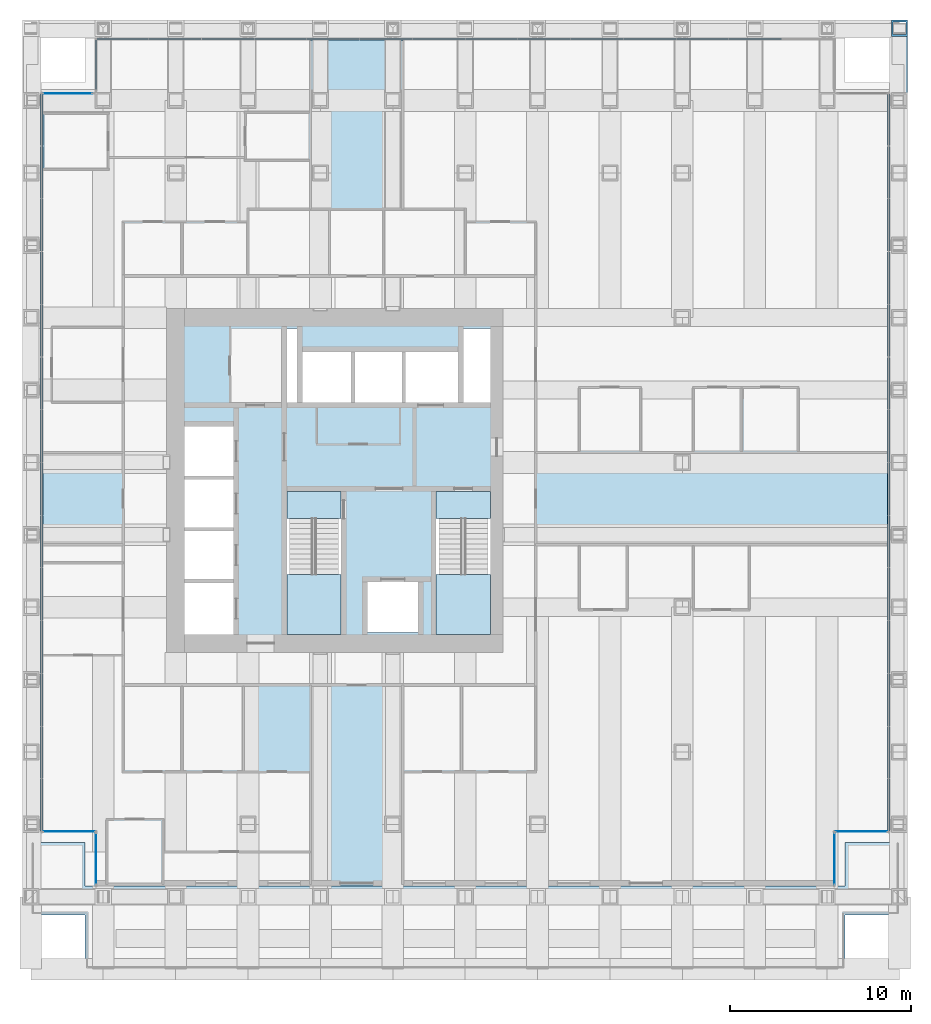
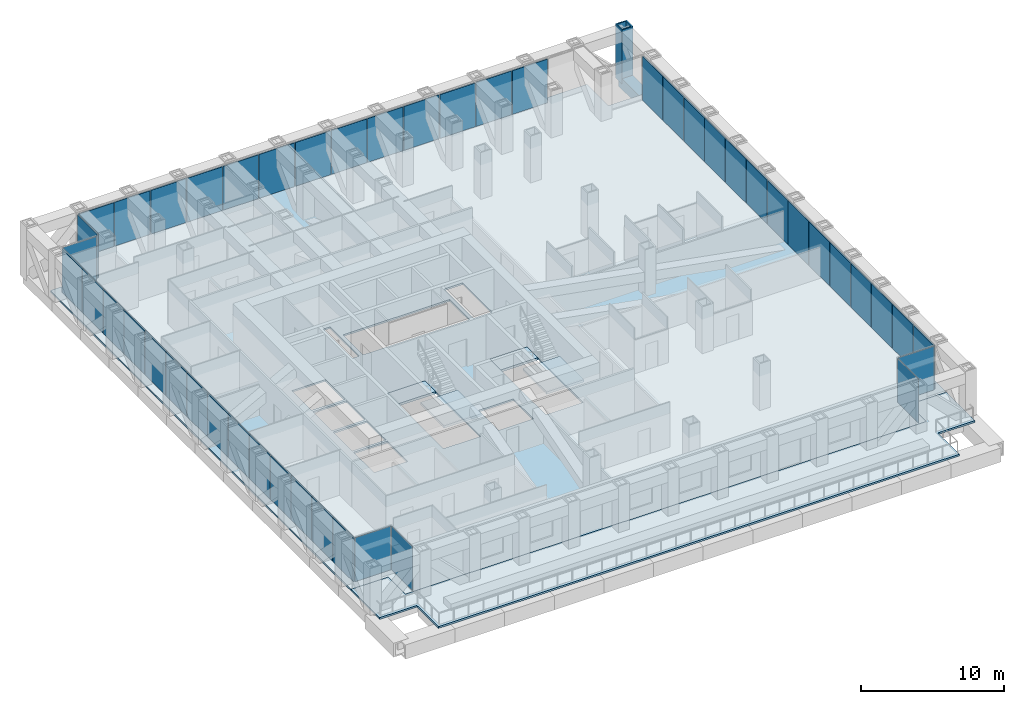
# One storey, part 11 of 18: 47 plates, 6 slabs, 1 beam, 1 member, 11 elements without a shape of their own.
"""IFC4 building model written with IfcOpenShell, lengths in metres."""

from ifc_helpers import new_model, si_unit, direction, frame, origin, origin_2d, place, context, subcontext, project, spatial, polyline, rectangle, hollow_rectangle, outline, extrude, material, layer, layer_set, material_profile, profile_set, type_object, element, aggregate, save


model = new_model("IFC4")

# Units and contexts
model_context = context("Model", 3, precision=1e-05, world=origin(), true_north=direction((0.0, 1.0)))
body_context = subcontext(model_context, "Body", "Model", "MODEL_VIEW")
ifc_project = project(units=[si_unit("LENGTHUNIT", "METRE"), si_unit("AREAUNIT", "SQUARE_METRE"), si_unit("VOLUMEUNIT", "CUBIC_METRE"), si_unit("PLANEANGLEUNIT", "RADIAN"), si_unit("MASSUNIT", "GRAM", prefix="KILO")], contexts=[model_context])

# Site, building, storey
site_placement = place(None, origin())
site = spatial("IfcSite", under=ifc_project, at=site_placement, CompositionType="ELEMENT")
building_placement = place(site_placement, origin())
building = spatial("IfcBuilding", under=site, at=building_placement, Name="Rimbunsela Tower", CompositionType="ELEMENT")
storey_placement = place(building_placement, frame((0.0, 0.0, 105.39990234375)))
storey = spatial("IfcBuildingStorey", under=building, at=storey_placement, Name="L25", CompositionType="ELEMENT", Elevation=105.39990234375)

# Beam
ifc_material_1 = material(Name="Steel BJ 55 (fy 410 MPa)", Category="steel")
ifc_material_profile_1 = material_profile(ifc_material_1, hollow_rectangle(XDim=0.89990234375, YDim=0.89990234375, WallThickness=0.10009765625, at=origin_2d()), Name="BOX 900x900x100")
ifc_profile_set_1 = profile_set([ifc_material_profile_1], Name="Steel BJ 55 (fy 410 MPa)")
beam_type = type_object("IfcBeamType", Name="Truss chord BOX 900x900x100", PredefinedType="USERDEFINED", material=ifc_profile_set_1)
beam_placement = place(storey_placement, frame((58.0, 48.0, -0.599853515625), z_axis=(0.0, 1.0, 0.0), x_axis=(-1.0, 0.0, 0.0)))
element("IfcBeam", 1, at=beam_placement, inside=storey, type_object=beam_type, Name="Truss bottom chord TC2 E face L25", ObjectType="TRUSS CHORD", PredefinedType="USERDEFINED", context=body_context, shape_type="SweptSolid", body=[
    extrude(hollow_rectangle(XDim=0.89990234375, YDim=0.89990234375, WallThickness=0.10009765625, at=origin_2d()), origin(), (0.0, 0.0, 1.0), 4.0),
])

# Member
ifc_material_2 = material(Name="Steel BJ 55 (fy 410 MPa)", Category="steel")
ifc_material_profile_2 = material_profile(ifc_material_2, hollow_rectangle(XDim=0.89990234375, YDim=0.89990234375, WallThickness=0.10009765625, at=origin_2d()), Name="BOX 900x900x100")
ifc_profile_set_2 = profile_set([ifc_material_profile_2], Name="Steel BJ 55 (fy 410 MPa)")
member_type = type_object("IfcMemberType", Name="Truss post BOX 900x900x100", PredefinedType="POST", material=ifc_profile_set_2)
member_placement = place(storey_placement, frame((58.0, 52.0, -0.599853515625), z_axis=(0.0, 0.0, 1.0), x_axis=(1.0, 0.0, 0.0)))
element("IfcMember", 2, at=member_placement, inside=storey, type_object=member_type, Name="Truss post TP2 17/Q L25", PredefinedType="POST", context=body_context, shape_type="SweptSolid", body=[
    extrude(hollow_rectangle(XDim=0.89990234375, YDim=0.89990234375, WallThickness=0.10009765625, at=origin_2d()), origin(), (0.0, 0.0, 1.0), 4.599853515625),
])

# Slab
ifc_material_3 = material(Name="Concrete fc' 35 MPa", Category="concrete")
ifc_layer_1 = layer(ifc_material_3, 0.14990234375)
ifc_layer_set_1 = layer_set([ifc_layer_1], Name="Floor slab 150")
slab_type_1 = type_object("IfcSlabType", Name="Floor slab 150", PredefinedType="FLOOR", material=ifc_layer_set_1)
slab_1_placement = place(storey_placement, frame((0.0, 0.0, -0.14990234375)))
element("IfcSlab", 3, at=slab_1_placement, inside=storey, type_object=slab_type_1, Name="Floor slab L25", PredefinedType="FLOOR", context=body_context, shape_type="SweptSolid", body=[
    extrude(outline(polyline([(13.0, 7.0), (13.0, 4.60009765625), (55.0, 4.60009765625), (55.0, 7.0), (58.0, 7.0), (58.0, 49.0), (55.0, 49.0), (55.0, 52.0), (13.0, 52.0), (13.0, 49.0), (10.0, 49.0), (10.0, 7.0), (13.0, 7.0)]), holes=[polyline([(21.199951171875, 21.35009765625), (18.5, 21.35009765625), (18.5, 18.5), (21.199951171875, 18.5), (21.199951171875, 21.35009765625)]), polyline([(21.199951171875, 21.550048828125), (21.199951171875, 24.199951171875), (18.5, 24.199951171875), (18.5, 21.550048828125), (21.199951171875, 21.550048828125)]), polyline([(21.199951171875, 27.050048828125), (18.5, 27.050048828125), (18.5, 24.39990234375), (21.199951171875, 24.39990234375), (21.199951171875, 27.050048828125)]), polyline([(21.199951171875, 27.25), (21.199951171875, 30.0), (18.5, 30.0), (18.5, 27.25), (21.199951171875, 27.25)]), polyline([(27.14990234375, 18.60009765625), (27.14990234375, 26.39990234375), (24.14990234375, 26.39990234375), (24.14990234375, 18.60009765625), (27.14990234375, 18.60009765625)]), polyline([(24.699951171875, 31.300048828125), (24.699951171875, 35.39990234375), (24.14990234375, 35.39990234375), (24.14990234375, 31.300048828125), (24.699951171875, 31.300048828125)]), polyline([(25.0, 34.10009765625), (25.0, 31.300048828125), (33.60009765625, 31.300048828125), (33.60009765625, 34.10009765625), (25.0, 34.10009765625)]), polyline([(31.39990234375, 21.39990234375), (28.60009765625, 21.39990234375), (28.60009765625, 18.60009765625), (31.39990234375, 18.60009765625), (31.39990234375, 21.39990234375)]), polyline([(35.39990234375, 18.60009765625), (35.39990234375, 26.39990234375), (32.39990234375, 26.39990234375), (32.39990234375, 18.60009765625), (35.39990234375, 18.60009765625)]), polyline([(35.39990234375, 31.300048828125), (35.39990234375, 35.39990234375), (33.89990234375, 35.39990234375), (33.89990234375, 31.300048828125), (35.39990234375, 31.300048828125)])]), origin(), (0.0, 0.0, 1.0), 0.14990234375),
])

# Curtain wall, plate
ifc_material_4 = material(Name="Aluminium curtain wall", Category="aluminium")
curtain_wall_type_1 = type_object("IfcCurtainWallType", Name="Corner glazing", PredefinedType="USERDEFINED", material=ifc_material_4)
curtain_wall_1_placement = place(storey_placement, origin())
curtain_wall_1 = element("IfcCurtainWall", 4, at=curtain_wall_1_placement, inside=storey, type_object=curtain_wall_type_1, Name="Corner glazing L25", ObjectType="CORNER GLAZING", PredefinedType="USERDEFINED")
ifc_material_5 = material(Name="Clear double glazing", Category="glass")
ifc_layer_2 = layer(ifc_material_5, 0.028076171875)
ifc_layer_set_2 = layer_set([ifc_layer_2], Name="Glazed panel clear")
plate_type_1 = type_object("IfcPlateType", Name="Glazed panel clear", PredefinedType="CURTAIN_PANEL", material=ifc_layer_set_2)
plate_1_placement = place(storey_placement, frame((54.39990234375, 6.10009765625, 0.06005859375), z_axis=(0.0, 0.0, 1.0), x_axis=(0.0, 1.0, 0.0)))
plate_1 = element("IfcPlate", 5, at=plate_1_placement, type_object=plate_type_1, Name="CW5 panel 1.1", PredefinedType="CURTAIN_PANEL", context=body_context, shape_type="SweptSolid", body=[
    extrude(rectangle(XDim=2.8798828125, YDim=0.028076171875, at=origin_2d()), origin(), (0.0, 0.0, 1.0), 3.72998046875),
])
aggregate(curtain_wall_1, [plate_1])

curtain_wall_2_placement = place(storey_placement, origin())
curtain_wall_2 = element("IfcCurtainWall", 6, at=curtain_wall_2_placement, inside=storey, type_object=curtain_wall_type_1, Name="Corner glazing L25", ObjectType="CORNER GLAZING", PredefinedType="USERDEFINED")
plate_2_placement = place(storey_placement, frame((55.89990234375, 7.60009765625, 0.06005859375), z_axis=(0.0, 0.0, 1.0), x_axis=(1.0, 0.0, 0.0)))
plate_2 = element("IfcPlate", 7, at=plate_2_placement, type_object=plate_type_1, Name="CW5 panel 1.1", PredefinedType="CURTAIN_PANEL", context=body_context, shape_type="SweptSolid", body=[
    extrude(rectangle(XDim=2.8798828125, YDim=0.028076171875, at=origin_2d()), origin(), (0.0, 0.0, 1.0), 3.72998046875),
])
aggregate(curtain_wall_2, [plate_2])

curtain_wall_3_placement = place(storey_placement, origin())
curtain_wall_3 = element("IfcCurtainWall", 8, at=curtain_wall_3_placement, inside=storey, type_object=curtain_wall_type_1, Name="Corner glazing L25", ObjectType="CORNER GLAZING", PredefinedType="USERDEFINED")
plate_3_placement = place(storey_placement, frame((12.02490234375, 48.39990234375, 0.06005859375), z_axis=(0.0, 0.0, 1.0), x_axis=(-1.0, 0.0, 0.0)))
plate_3 = element("IfcPlate", 9, at=plate_3_placement, type_object=plate_type_1, Name="CW5 panel 1.1", PredefinedType="CURTAIN_PANEL", context=body_context, shape_type="SweptSolid", body=[
    extrude(rectangle(XDim=2.72998046875, YDim=0.028076171875, at=origin_2d()), origin(), (0.0, 0.0, 1.0), 3.72998046875),
])
aggregate(curtain_wall_3, [plate_3])

curtain_wall_4_placement = place(storey_placement, origin())
curtain_wall_4 = element("IfcCurtainWall", 10, at=curtain_wall_4_placement, inside=storey, type_object=curtain_wall_type_1, Name="Corner glazing L25", ObjectType="CORNER GLAZING", PredefinedType="USERDEFINED")
plate_4_placement = place(storey_placement, frame((12.10009765625, 7.60009765625, 0.06005859375), z_axis=(0.0, 0.0, 1.0), x_axis=(1.0, 0.0, 0.0)))
plate_4 = element("IfcPlate", 11, at=plate_4_placement, type_object=plate_type_1, Name="CW5 panel 1.1", PredefinedType="CURTAIN_PANEL", context=body_context, shape_type="SweptSolid", body=[
    extrude(rectangle(XDim=2.8798828125, YDim=0.028076171875, at=origin_2d()), origin(), (0.0, 0.0, 1.0), 3.72998046875),
])
aggregate(curtain_wall_4, [plate_4])

curtain_wall_5_placement = place(storey_placement, origin())
curtain_wall_5 = element("IfcCurtainWall", 12, at=curtain_wall_5_placement, inside=storey, type_object=curtain_wall_type_1, Name="Corner glazing L25", ObjectType="CORNER GLAZING", PredefinedType="USERDEFINED")
plate_5_placement = place(storey_placement, frame((13.60009765625, 6.10009765625, 0.06005859375), z_axis=(0.0, 0.0, 1.0), x_axis=(0.0, -1.0, 0.0)))
plate_5 = element("IfcPlate", 13, at=plate_5_placement, type_object=plate_type_1, Name="CW5 panel 1.1", PredefinedType="CURTAIN_PANEL", context=body_context, shape_type="SweptSolid", body=[
    extrude(rectangle(XDim=2.8798828125, YDim=0.028076171875, at=origin_2d()), origin(), (0.0, 0.0, 1.0), 3.72998046875),
])
aggregate(curtain_wall_5, [plate_5])

# Curtain wall, plates
ifc_material_6 = material(Name="Aluminium curtain wall", Category="aluminium")
curtain_wall_type_2 = type_object("IfcCurtainWallType", Name="Exoskeleton storey infill", PredefinedType="USERDEFINED", material=ifc_material_6)
curtain_wall_6_placement = place(storey_placement, origin())
curtain_wall_6 = element("IfcCurtainWall", 14, at=curtain_wall_6_placement, inside=storey, type_object=curtain_wall_type_2, Name="Exoskeleton storey infill L25", ObjectType="EXOSKELETON STOREY INFILL", PredefinedType="USERDEFINED")
ifc_material_7 = material(Name="Insulated aluminium spandrel panel", Category="aluminium")
ifc_layer_3 = layer(ifc_material_7, 0.10009765625)
ifc_layer_set_3 = layer_set([ifc_layer_3], Name="Insulated panel 100")
plate_type_2 = type_object("IfcPlateType", Name="Insulated panel 100", PredefinedType="CURTAIN_PANEL", material=ifc_layer_set_3)
plate_6_placement = place(storey_placement, frame((57.39990234375, 9.072021484375, 0.06005859375), z_axis=(0.0, 0.0, 1.0), x_axis=(0.0, 1.0, 0.0)))
plate_6 = element("IfcPlate", 15, at=plate_6_placement, type_object=plate_type_2, Name="CW2 panel 1.1", PredefinedType="CURTAIN_PANEL", context=body_context, shape_type="SweptSolid", body=[
    extrude(rectangle(XDim=2.82421875, YDim=0.10009765625, at=origin_2d()), origin(), (0.0, 0.0, 1.0), 3.72998046875),
])
plate_7_placement = place(storey_placement, frame((57.39990234375, 11.971435546875, 0.06005859375), z_axis=(0.0, 0.0, 1.0), x_axis=(0.0, 1.0, 0.0)))
plate_7 = element("IfcPlate", 16, at=plate_7_placement, type_object=plate_type_2, Name="CW2 panel 2.1", PredefinedType="CURTAIN_PANEL", context=body_context, shape_type="SweptSolid", body=[
    extrude(rectangle(XDim=2.854248046875, YDim=0.10009765625, at=origin_2d()), origin(), (0.0, 0.0, 1.0), 3.72998046875),
])
plate_8_placement = place(storey_placement, frame((57.39990234375, 14.8857421875, 0.06005859375), z_axis=(0.0, 0.0, 1.0), x_axis=(0.0, 1.0, 0.0)))
plate_8 = element("IfcPlate", 17, at=plate_8_placement, type_object=plate_type_2, Name="CW2 panel 3.1", PredefinedType="CURTAIN_PANEL", context=body_context, shape_type="SweptSolid", body=[
    extrude(rectangle(XDim=2.854248046875, YDim=0.10009765625, at=origin_2d()), origin(), (0.0, 0.0, 1.0), 3.72998046875),
])
plate_9_placement = place(storey_placement, frame((57.39990234375, 17.800048828125, 0.06005859375), z_axis=(0.0, 0.0, 1.0), x_axis=(0.0, 1.0, 0.0)))
plate_9 = element("IfcPlate", 18, at=plate_9_placement, type_object=plate_type_2, Name="CW2 panel 4.1", PredefinedType="CURTAIN_PANEL", context=body_context, shape_type="SweptSolid", body=[
    extrude(rectangle(XDim=2.854248046875, YDim=0.10009765625, at=origin_2d()), origin(), (0.0, 0.0, 1.0), 3.72998046875),
])
plate_10_placement = place(storey_placement, frame((57.39990234375, 20.71435546875, 0.06005859375), z_axis=(0.0, 0.0, 1.0), x_axis=(0.0, 1.0, 0.0)))
plate_10 = element("IfcPlate", 19, at=plate_10_placement, type_object=plate_type_2, Name="CW2 panel 5.1", PredefinedType="CURTAIN_PANEL", context=body_context, shape_type="SweptSolid", body=[
    extrude(rectangle(XDim=2.854248046875, YDim=0.10009765625, at=origin_2d()), origin(), (0.0, 0.0, 1.0), 3.72998046875),
])
plate_11_placement = place(storey_placement, frame((57.39990234375, 23.628662109375, 0.06005859375), z_axis=(0.0, 0.0, 1.0), x_axis=(0.0, 1.0, 0.0)))
plate_11 = element("IfcPlate", 20, at=plate_11_placement, type_object=plate_type_2, Name="CW2 panel 6.1", PredefinedType="CURTAIN_PANEL", context=body_context, shape_type="SweptSolid", body=[
    extrude(rectangle(XDim=2.854248046875, YDim=0.10009765625, at=origin_2d()), origin(), (0.0, 0.0, 1.0), 3.72998046875),
])
plate_12_placement = place(storey_placement, frame((57.39990234375, 26.54296875, 0.06005859375), z_axis=(0.0, 0.0, 1.0), x_axis=(0.0, 1.0, 0.0)))
plate_12 = element("IfcPlate", 21, at=plate_12_placement, type_object=plate_type_2, Name="CW2 panel 7.1", PredefinedType="CURTAIN_PANEL", context=body_context, shape_type="SweptSolid", body=[
    extrude(rectangle(XDim=2.854248046875, YDim=0.10009765625, at=origin_2d()), origin(), (0.0, 0.0, 1.0), 3.72998046875),
])
plate_13_placement = place(storey_placement, frame((57.39990234375, 29.45703125, 0.06005859375), z_axis=(0.0, 0.0, 1.0), x_axis=(0.0, 1.0, 0.0)))
plate_13 = element("IfcPlate", 22, at=plate_13_placement, type_object=plate_type_2, Name="CW2 panel 8.1", PredefinedType="CURTAIN_PANEL", context=body_context, shape_type="SweptSolid", body=[
    extrude(rectangle(XDim=2.854248046875, YDim=0.10009765625, at=origin_2d()), origin(), (0.0, 0.0, 1.0), 3.72998046875),
])
plate_14_placement = place(storey_placement, frame((57.39990234375, 32.371337890625, 0.06005859375), z_axis=(0.0, 0.0, 1.0), x_axis=(0.0, 1.0, 0.0)))
plate_14 = element("IfcPlate", 23, at=plate_14_placement, type_object=plate_type_2, Name="CW2 panel 9.1", PredefinedType="CURTAIN_PANEL", context=body_context, shape_type="SweptSolid", body=[
    extrude(rectangle(XDim=2.854248046875, YDim=0.10009765625, at=origin_2d()), origin(), (0.0, 0.0, 1.0), 3.72998046875),
])
plate_15_placement = place(storey_placement, frame((57.39990234375, 35.28564453125, 0.06005859375), z_axis=(0.0, 0.0, 1.0), x_axis=(0.0, 1.0, 0.0)))
plate_15 = element("IfcPlate", 24, at=plate_15_placement, type_object=plate_type_2, Name="CW2 panel 10.1", PredefinedType="CURTAIN_PANEL", context=body_context, shape_type="SweptSolid", body=[
    extrude(rectangle(XDim=2.854248046875, YDim=0.10009765625, at=origin_2d()), origin(), (0.0, 0.0, 1.0), 3.72998046875),
])
plate_16_placement = place(storey_placement, frame((57.39990234375, 38.199951171875, 0.06005859375), z_axis=(0.0, 0.0, 1.0), x_axis=(0.0, 1.0, 0.0)))
plate_16 = element("IfcPlate", 25, at=plate_16_placement, type_object=plate_type_2, Name="CW2 panel 11.1", PredefinedType="CURTAIN_PANEL", context=body_context, shape_type="SweptSolid", body=[
    extrude(rectangle(XDim=2.854248046875, YDim=0.10009765625, at=origin_2d()), origin(), (0.0, 0.0, 1.0), 3.72998046875),
])
plate_17_placement = place(storey_placement, frame((57.39990234375, 41.1142578125, 0.06005859375), z_axis=(0.0, 0.0, 1.0), x_axis=(0.0, 1.0, 0.0)))
plate_17 = element("IfcPlate", 26, at=plate_17_placement, type_object=plate_type_2, Name="CW2 panel 12.1", PredefinedType="CURTAIN_PANEL", context=body_context, shape_type="SweptSolid", body=[
    extrude(rectangle(XDim=2.854248046875, YDim=0.10009765625, at=origin_2d()), origin(), (0.0, 0.0, 1.0), 3.72998046875),
])
plate_18_placement = place(storey_placement, frame((57.39990234375, 44.028564453125, 0.06005859375), z_axis=(0.0, 0.0, 1.0), x_axis=(0.0, 1.0, 0.0)))
plate_18 = element("IfcPlate", 27, at=plate_18_placement, type_object=plate_type_2, Name="CW2 panel 13.1", PredefinedType="CURTAIN_PANEL", context=body_context, shape_type="SweptSolid", body=[
    extrude(rectangle(XDim=2.854248046875, YDim=0.10009765625, at=origin_2d()), origin(), (0.0, 0.0, 1.0), 3.72998046875),
])
plate_19_placement = place(storey_placement, frame((57.39990234375, 46.927978515625, 0.06005859375), z_axis=(0.0, 0.0, 1.0), x_axis=(0.0, 1.0, 0.0)))
plate_19 = element("IfcPlate", 28, at=plate_19_placement, type_object=plate_type_2, Name="CW2 panel 14.1", PredefinedType="CURTAIN_PANEL", context=body_context, shape_type="SweptSolid", body=[
    extrude(rectangle(XDim=2.82421875, YDim=0.10009765625, at=origin_2d()), origin(), (0.0, 0.0, 1.0), 3.72998046875),
])
aggregate(curtain_wall_6, [plate_6, plate_7, plate_8, plate_9, plate_10, plate_11, plate_12, plate_13, plate_14, plate_15, plate_16, plate_17, plate_18, plate_19])

curtain_wall_7_placement = place(storey_placement, origin())
curtain_wall_7 = element("IfcCurtainWall", 29, at=curtain_wall_7_placement, inside=storey, type_object=curtain_wall_type_2, Name="Exoskeleton storey infill L25", ObjectType="EXOSKELETON STOREY INFILL", PredefinedType="USERDEFINED")
plate_20_placement = place(storey_placement, frame((50.028564453125, 51.39990234375, 0.06005859375), z_axis=(0.0, 0.0, 1.0), x_axis=(-1.0, 0.0, 0.0)))
plate_20 = element("IfcPlate", 30, at=plate_20_placement, type_object=plate_type_2, Name="CW2 panel 2.1", PredefinedType="CURTAIN_PANEL", context=body_context, shape_type="SweptSolid", body=[
    extrude(rectangle(XDim=2.854248046875, YDim=0.10009765625, at=origin_2d()), origin(), (0.0, 0.0, 1.0), 3.72998046875),
])
plate_21_placement = place(storey_placement, frame((47.1142578125, 51.39990234375, 0.06005859375), z_axis=(0.0, 0.0, 1.0), x_axis=(-1.0, 0.0, 0.0)))
plate_21 = element("IfcPlate", 31, at=plate_21_placement, type_object=plate_type_2, Name="CW2 panel 3.1", PredefinedType="CURTAIN_PANEL", context=body_context, shape_type="SweptSolid", body=[
    extrude(rectangle(XDim=2.854248046875, YDim=0.10009765625, at=origin_2d()), origin(), (0.0, 0.0, 1.0), 3.72998046875),
])
plate_22_placement = place(storey_placement, frame((44.199951171875, 51.39990234375, 0.06005859375), z_axis=(0.0, 0.0, 1.0), x_axis=(-1.0, 0.0, 0.0)))
plate_22 = element("IfcPlate", 32, at=plate_22_placement, type_object=plate_type_2, Name="CW2 panel 4.1", PredefinedType="CURTAIN_PANEL", context=body_context, shape_type="SweptSolid", body=[
    extrude(rectangle(XDim=2.854248046875, YDim=0.10009765625, at=origin_2d()), origin(), (0.0, 0.0, 1.0), 3.72998046875),
])
plate_23_placement = place(storey_placement, frame((41.28564453125, 51.39990234375, 0.06005859375), z_axis=(0.0, 0.0, 1.0), x_axis=(-1.0, 0.0, 0.0)))
plate_23 = element("IfcPlate", 33, at=plate_23_placement, type_object=plate_type_2, Name="CW2 panel 5.1", PredefinedType="CURTAIN_PANEL", context=body_context, shape_type="SweptSolid", body=[
    extrude(rectangle(XDim=2.854248046875, YDim=0.10009765625, at=origin_2d()), origin(), (0.0, 0.0, 1.0), 3.72998046875),
])
plate_24_placement = place(storey_placement, frame((38.371337890625, 51.39990234375, 0.06005859375), z_axis=(0.0, 0.0, 1.0), x_axis=(-1.0, 0.0, 0.0)))
plate_24 = element("IfcPlate", 34, at=plate_24_placement, type_object=plate_type_2, Name="CW2 panel 6.1", PredefinedType="CURTAIN_PANEL", context=body_context, shape_type="SweptSolid", body=[
    extrude(rectangle(XDim=2.854248046875, YDim=0.10009765625, at=origin_2d()), origin(), (0.0, 0.0, 1.0), 3.72998046875),
])
plate_25_placement = place(storey_placement, frame((35.45703125, 51.39990234375, 0.06005859375), z_axis=(0.0, 0.0, 1.0), x_axis=(-1.0, 0.0, 0.0)))
plate_25 = element("IfcPlate", 35, at=plate_25_placement, type_object=plate_type_2, Name="CW2 panel 7.1", PredefinedType="CURTAIN_PANEL", context=body_context, shape_type="SweptSolid", body=[
    extrude(rectangle(XDim=2.854248046875, YDim=0.10009765625, at=origin_2d()), origin(), (0.0, 0.0, 1.0), 3.72998046875),
])
plate_26_placement = place(storey_placement, frame((32.54296875, 51.39990234375, 0.06005859375), z_axis=(0.0, 0.0, 1.0), x_axis=(-1.0, 0.0, 0.0)))
plate_26 = element("IfcPlate", 36, at=plate_26_placement, type_object=plate_type_2, Name="CW2 panel 8.1", PredefinedType="CURTAIN_PANEL", context=body_context, shape_type="SweptSolid", body=[
    extrude(rectangle(XDim=2.854248046875, YDim=0.10009765625, at=origin_2d()), origin(), (0.0, 0.0, 1.0), 3.72998046875),
])
plate_27_placement = place(storey_placement, frame((29.628662109375, 51.39990234375, 0.06005859375), z_axis=(0.0, 0.0, 1.0), x_axis=(-1.0, 0.0, 0.0)))
plate_27 = element("IfcPlate", 37, at=plate_27_placement, type_object=plate_type_2, Name="CW2 panel 9.1", PredefinedType="CURTAIN_PANEL", context=body_context, shape_type="SweptSolid", body=[
    extrude(rectangle(XDim=2.854248046875, YDim=0.10009765625, at=origin_2d()), origin(), (0.0, 0.0, 1.0), 3.72998046875),
])
plate_28_placement = place(storey_placement, frame((26.71435546875, 51.39990234375, 0.06005859375), z_axis=(0.0, 0.0, 1.0), x_axis=(-1.0, 0.0, 0.0)))
plate_28 = element("IfcPlate", 38, at=plate_28_placement, type_object=plate_type_2, Name="CW2 panel 10.1", PredefinedType="CURTAIN_PANEL", context=body_context, shape_type="SweptSolid", body=[
    extrude(rectangle(XDim=2.854248046875, YDim=0.10009765625, at=origin_2d()), origin(), (0.0, 0.0, 1.0), 3.72998046875),
])
plate_29_placement = place(storey_placement, frame((23.800048828125, 51.39990234375, 0.06005859375), z_axis=(0.0, 0.0, 1.0), x_axis=(-1.0, 0.0, 0.0)))
plate_29 = element("IfcPlate", 39, at=plate_29_placement, type_object=plate_type_2, Name="CW2 panel 11.1", PredefinedType="CURTAIN_PANEL", context=body_context, shape_type="SweptSolid", body=[
    extrude(rectangle(XDim=2.854248046875, YDim=0.10009765625, at=origin_2d()), origin(), (0.0, 0.0, 1.0), 3.72998046875),
])
plate_30_placement = place(storey_placement, frame((20.8857421875, 51.39990234375, 0.06005859375), z_axis=(0.0, 0.0, 1.0), x_axis=(-1.0, 0.0, 0.0)))
plate_30 = element("IfcPlate", 40, at=plate_30_placement, type_object=plate_type_2, Name="CW2 panel 12.1", PredefinedType="CURTAIN_PANEL", context=body_context, shape_type="SweptSolid", body=[
    extrude(rectangle(XDim=2.854248046875, YDim=0.10009765625, at=origin_2d()), origin(), (0.0, 0.0, 1.0), 3.72998046875),
])
plate_31_placement = place(storey_placement, frame((17.971435546875, 51.39990234375, 0.06005859375), z_axis=(0.0, 0.0, 1.0), x_axis=(-1.0, 0.0, 0.0)))
plate_31 = element("IfcPlate", 41, at=plate_31_placement, type_object=plate_type_2, Name="CW2 panel 13.1", PredefinedType="CURTAIN_PANEL", context=body_context, shape_type="SweptSolid", body=[
    extrude(rectangle(XDim=2.854248046875, YDim=0.10009765625, at=origin_2d()), origin(), (0.0, 0.0, 1.0), 3.72998046875),
])
plate_32_placement = place(storey_placement, frame((15.072021484375, 51.39990234375, 0.06005859375), z_axis=(0.0, 0.0, 1.0), x_axis=(-1.0, 0.0, 0.0)))
plate_32 = element("IfcPlate", 42, at=plate_32_placement, type_object=plate_type_2, Name="CW2 panel 14.1", PredefinedType="CURTAIN_PANEL", context=body_context, shape_type="SweptSolid", body=[
    extrude(rectangle(XDim=2.82421875, YDim=0.10009765625, at=origin_2d()), origin(), (0.0, 0.0, 1.0), 3.72998046875),
])
aggregate(curtain_wall_7, [plate_20, plate_21, plate_22, plate_23, plate_24, plate_25, plate_26, plate_27, plate_28, plate_29, plate_30, plate_31, plate_32])

# Curtain wall, plate
ifc_material_8 = material(Name="Aluminium curtain wall", Category="aluminium")
curtain_wall_type_3 = type_object("IfcCurtainWallType", Name="Spandrel wall", PredefinedType="USERDEFINED", material=ifc_material_8)
curtain_wall_8_placement = place(storey_placement, origin())
curtain_wall_8 = element("IfcCurtainWall", 43, at=curtain_wall_8_placement, inside=storey, type_object=curtain_wall_type_3, Name="Spandrel wall L25", ObjectType="SPANDREL WALL", PredefinedType="USERDEFINED")
plate_33_placement = place(storey_placement, frame((13.60009765625, 49.97509765625, 0.06005859375), z_axis=(0.0, 0.0, 1.0), x_axis=(0.0, -1.0, 0.0)))
plate_33 = element("IfcPlate", 44, at=plate_33_placement, type_object=plate_type_2, Name="CW7 panel 1.1", PredefinedType="CURTAIN_PANEL", context=body_context, shape_type="SweptSolid", body=[
    extrude(rectangle(XDim=2.72998046875, YDim=0.10009765625, at=origin_2d()), origin(), (0.0, 0.0, 1.0), 3.72998046875),
])
aggregate(curtain_wall_8, [plate_33])

# Curtain wall, plates
curtain_wall_9_placement = place(storey_placement, origin())
curtain_wall_9 = element("IfcCurtainWall", 45, at=curtain_wall_9_placement, inside=storey, type_object=curtain_wall_type_2, Name="Exoskeleton storey infill L25", ObjectType="EXOSKELETON STOREY INFILL", PredefinedType="USERDEFINED")
plate_34_placement = place(storey_placement, frame((10.60009765625, 46.927978515625, 0.06005859375), z_axis=(0.0, 0.0, 1.0), x_axis=(0.0, -1.0, 0.0)))
plate_34 = element("IfcPlate", 46, at=plate_34_placement, type_object=plate_type_2, Name="CW2 panel 1.1", PredefinedType="CURTAIN_PANEL", context=body_context, shape_type="SweptSolid", body=[
    extrude(rectangle(XDim=2.82421875, YDim=0.10009765625, at=origin_2d()), origin(), (0.0, 0.0, 1.0), 3.72998046875),
])
plate_35_placement = place(storey_placement, frame((10.60009765625, 44.028564453125, 0.06005859375), z_axis=(0.0, 0.0, 1.0), x_axis=(0.0, -1.0, 0.0)))
plate_35 = element("IfcPlate", 47, at=plate_35_placement, type_object=plate_type_2, Name="CW2 panel 2.1", PredefinedType="CURTAIN_PANEL", context=body_context, shape_type="SweptSolid", body=[
    extrude(rectangle(XDim=2.854248046875, YDim=0.10009765625, at=origin_2d()), origin(), (0.0, 0.0, 1.0), 3.72998046875),
])
plate_36_placement = place(storey_placement, frame((10.60009765625, 41.1142578125, 0.06005859375), z_axis=(0.0, 0.0, 1.0), x_axis=(0.0, -1.0, 0.0)))
plate_36 = element("IfcPlate", 48, at=plate_36_placement, type_object=plate_type_2, Name="CW2 panel 3.1", PredefinedType="CURTAIN_PANEL", context=body_context, shape_type="SweptSolid", body=[
    extrude(rectangle(XDim=2.854248046875, YDim=0.10009765625, at=origin_2d()), origin(), (0.0, 0.0, 1.0), 3.72998046875),
])
plate_37_placement = place(storey_placement, frame((10.60009765625, 38.199951171875, 0.06005859375), z_axis=(0.0, 0.0, 1.0), x_axis=(0.0, -1.0, 0.0)))
plate_37 = element("IfcPlate", 49, at=plate_37_placement, type_object=plate_type_2, Name="CW2 panel 4.1", PredefinedType="CURTAIN_PANEL", context=body_context, shape_type="SweptSolid", body=[
    extrude(rectangle(XDim=2.854248046875, YDim=0.10009765625, at=origin_2d()), origin(), (0.0, 0.0, 1.0), 3.72998046875),
])
plate_38_placement = place(storey_placement, frame((10.60009765625, 35.28564453125, 0.06005859375), z_axis=(0.0, 0.0, 1.0), x_axis=(0.0, -1.0, 0.0)))
plate_38 = element("IfcPlate", 50, at=plate_38_placement, type_object=plate_type_2, Name="CW2 panel 5.1", PredefinedType="CURTAIN_PANEL", context=body_context, shape_type="SweptSolid", body=[
    extrude(rectangle(XDim=2.854248046875, YDim=0.10009765625, at=origin_2d()), origin(), (0.0, 0.0, 1.0), 3.72998046875),
])
plate_39_placement = place(storey_placement, frame((10.60009765625, 32.371337890625, 0.06005859375), z_axis=(0.0, 0.0, 1.0), x_axis=(0.0, -1.0, 0.0)))
plate_39 = element("IfcPlate", 51, at=plate_39_placement, type_object=plate_type_2, Name="CW2 panel 6.1", PredefinedType="CURTAIN_PANEL", context=body_context, shape_type="SweptSolid", body=[
    extrude(rectangle(XDim=2.854248046875, YDim=0.10009765625, at=origin_2d()), origin(), (0.0, 0.0, 1.0), 3.72998046875),
])
plate_40_placement = place(storey_placement, frame((10.60009765625, 29.45703125, 0.06005859375), z_axis=(0.0, 0.0, 1.0), x_axis=(0.0, -1.0, 0.0)))
plate_40 = element("IfcPlate", 52, at=plate_40_placement, type_object=plate_type_2, Name="CW2 panel 7.1", PredefinedType="CURTAIN_PANEL", context=body_context, shape_type="SweptSolid", body=[
    extrude(rectangle(XDim=2.854248046875, YDim=0.10009765625, at=origin_2d()), origin(), (0.0, 0.0, 1.0), 3.72998046875),
])
plate_41_placement = place(storey_placement, frame((10.60009765625, 26.54296875, 0.06005859375), z_axis=(0.0, 0.0, 1.0), x_axis=(0.0, -1.0, 0.0)))
plate_41 = element("IfcPlate", 53, at=plate_41_placement, type_object=plate_type_2, Name="CW2 panel 8.1", PredefinedType="CURTAIN_PANEL", context=body_context, shape_type="SweptSolid", body=[
    extrude(rectangle(XDim=2.854248046875, YDim=0.10009765625, at=origin_2d()), origin(), (0.0, 0.0, 1.0), 3.72998046875),
])
plate_42_placement = place(storey_placement, frame((10.60009765625, 23.628662109375, 0.06005859375), z_axis=(0.0, 0.0, 1.0), x_axis=(0.0, -1.0, 0.0)))
plate_42 = element("IfcPlate", 54, at=plate_42_placement, type_object=plate_type_2, Name="CW2 panel 9.1", PredefinedType="CURTAIN_PANEL", context=body_context, shape_type="SweptSolid", body=[
    extrude(rectangle(XDim=2.854248046875, YDim=0.10009765625, at=origin_2d()), origin(), (0.0, 0.0, 1.0), 3.72998046875),
])
plate_43_placement = place(storey_placement, frame((10.60009765625, 20.71435546875, 0.06005859375), z_axis=(0.0, 0.0, 1.0), x_axis=(0.0, -1.0, 0.0)))
plate_43 = element("IfcPlate", 55, at=plate_43_placement, type_object=plate_type_2, Name="CW2 panel 10.1", PredefinedType="CURTAIN_PANEL", context=body_context, shape_type="SweptSolid", body=[
    extrude(rectangle(XDim=2.854248046875, YDim=0.10009765625, at=origin_2d()), origin(), (0.0, 0.0, 1.0), 3.72998046875),
])
plate_44_placement = place(storey_placement, frame((10.60009765625, 17.800048828125, 0.06005859375), z_axis=(0.0, 0.0, 1.0), x_axis=(0.0, -1.0, 0.0)))
plate_44 = element("IfcPlate", 56, at=plate_44_placement, type_object=plate_type_2, Name="CW2 panel 11.1", PredefinedType="CURTAIN_PANEL", context=body_context, shape_type="SweptSolid", body=[
    extrude(rectangle(XDim=2.854248046875, YDim=0.10009765625, at=origin_2d()), origin(), (0.0, 0.0, 1.0), 3.72998046875),
])
plate_45_placement = place(storey_placement, frame((10.60009765625, 14.8857421875, 0.06005859375), z_axis=(0.0, 0.0, 1.0), x_axis=(0.0, -1.0, 0.0)))
plate_45 = element("IfcPlate", 57, at=plate_45_placement, type_object=plate_type_2, Name="CW2 panel 12.1", PredefinedType="CURTAIN_PANEL", context=body_context, shape_type="SweptSolid", body=[
    extrude(rectangle(XDim=2.854248046875, YDim=0.10009765625, at=origin_2d()), origin(), (0.0, 0.0, 1.0), 3.72998046875),
])
plate_46_placement = place(storey_placement, frame((10.60009765625, 11.971435546875, 0.06005859375), z_axis=(0.0, 0.0, 1.0), x_axis=(0.0, -1.0, 0.0)))
plate_46 = element("IfcPlate", 58, at=plate_46_placement, type_object=plate_type_2, Name="CW2 panel 13.1", PredefinedType="CURTAIN_PANEL", context=body_context, shape_type="SweptSolid", body=[
    extrude(rectangle(XDim=2.854248046875, YDim=0.10009765625, at=origin_2d()), origin(), (0.0, 0.0, 1.0), 3.72998046875),
])
plate_47_placement = place(storey_placement, frame((10.60009765625, 9.072021484375, 0.06005859375), z_axis=(0.0, 0.0, 1.0), x_axis=(0.0, -1.0, 0.0)))
plate_47 = element("IfcPlate", 59, at=plate_47_placement, type_object=plate_type_2, Name="CW2 panel 14.1", PredefinedType="CURTAIN_PANEL", context=body_context, shape_type="SweptSolid", body=[
    extrude(rectangle(XDim=2.82421875, YDim=0.10009765625, at=origin_2d()), origin(), (0.0, 0.0, 1.0), 3.72998046875),
])
aggregate(curtain_wall_9, [plate_34, plate_35, plate_36, plate_37, plate_38, plate_39, plate_40, plate_41, plate_42, plate_43, plate_44, plate_45, plate_46, plate_47])

# Stair, slabs
ifc_material_9 = material(Name="Concrete fc' 35 MPa", Category="concrete")
stair_type = type_object("IfcStairType", Name="Exit stair 24 risers", PredefinedType="HALF_TURN_STAIR", material=ifc_material_9)
stair_1_placement = place(storey_placement, origin())
stair_1 = element("IfcStair", 60, at=stair_1_placement, inside=storey, type_object=stair_type, Name="Exit stair A L25", PredefinedType="HALF_TURN_STAIR")
ifc_material_10 = material(Name="Concrete fc' 35 MPa", Category="concrete")
ifc_layer_4 = layer(ifc_material_10, 0.199951171875)
ifc_layer_set_4 = layer_set([ifc_layer_4], Name="Stair landing 200")
slab_type_2 = type_object("IfcSlabType", Name="Stair landing 200", PredefinedType="LANDING", material=ifc_layer_set_4)
slab_2_placement = place(storey_placement, frame((0.0, 0.0, -0.199951171875)))
slab_2 = element("IfcSlab", 61, at=slab_2_placement, type_object=slab_type_2, Name="ST-A landing 1", PredefinedType="LANDING", context=body_context, shape_type="SweptSolid", body=[
    extrude(outline(polyline([(24.14990234375, 24.89990234375), (27.14990234375, 24.89990234375), (27.14990234375, 26.39990234375), (24.14990234375, 26.39990234375), (24.14990234375, 24.89990234375)])), origin(), (0.0, 0.0, 1.0), 0.199951171875),
])
slab_3_placement = place(storey_placement, frame((0.0, 0.0, 1.800048828125)))
slab_3 = element("IfcSlab", 62, at=slab_3_placement, type_object=slab_type_2, Name="ST-A landing 2", PredefinedType="LANDING", context=body_context, shape_type="SweptSolid", body=[
    extrude(outline(polyline([(24.14990234375, 18.5), (27.14990234375, 18.5), (27.14990234375, 21.820068359375), (24.14990234375, 21.820068359375), (24.14990234375, 18.5)])), origin(), (0.0, 0.0, 1.0), 0.199951171875),
])
aggregate(stair_1, [slab_2, slab_3])

stair_2_placement = place(storey_placement, origin())
stair_2 = element("IfcStair", 63, at=stair_2_placement, inside=storey, type_object=stair_type, Name="Exit stair B L25", PredefinedType="HALF_TURN_STAIR")
slab_4_placement = place(storey_placement, frame((0.0, 0.0, -0.199951171875)))
slab_4 = element("IfcSlab", 64, at=slab_4_placement, type_object=slab_type_2, Name="ST-B landing 1", PredefinedType="LANDING", context=body_context, shape_type="SweptSolid", body=[
    extrude(outline(polyline([(32.39990234375, 24.89990234375), (35.39990234375, 24.89990234375), (35.39990234375, 26.39990234375), (32.39990234375, 26.39990234375), (32.39990234375, 24.89990234375)])), origin(), (0.0, 0.0, 1.0), 0.199951171875),
])
slab_5_placement = place(storey_placement, frame((0.0, 0.0, 1.800048828125)))
slab_5 = element("IfcSlab", 65, at=slab_5_placement, type_object=slab_type_2, Name="ST-B landing 2", PredefinedType="LANDING", context=body_context, shape_type="SweptSolid", body=[
    extrude(outline(polyline([(32.39990234375, 18.5), (35.39990234375, 18.5), (35.39990234375, 21.820068359375), (32.39990234375, 21.820068359375), (32.39990234375, 18.5)])), origin(), (0.0, 0.0, 1.0), 0.199951171875),
])
aggregate(stair_2, [slab_4, slab_5])

# Slab
ifc_material_11 = material(Name="Concrete fc' 35 MPa", Category="concrete")
ifc_layer_5 = layer(ifc_material_11, 0.14990234375)
ifc_layer_set_5 = layer_set([ifc_layer_5], Name="Terrace slab 150")
slab_type_3 = type_object("IfcSlabType", Name="Terrace slab 150", PredefinedType="ROOF", material=ifc_layer_set_5)
slab_6_placement = place(storey_placement, frame((0.0, 0.0, -0.14990234375)))
element("IfcSlab", 66, at=slab_6_placement, inside=storey, type_object=slab_type_3, Name="Terrace L25", PredefinedType="ROOF", context=body_context, shape_type="SweptSolid", body=[
    extrude(outline(polyline([(58.0, 3.0), (55.0, 3.0), (55.0, 0.0), (13.0, 0.0), (13.0, 3.0), (10.0, 3.0), (10.0, 7.0), (13.0, 7.0), (13.0, 4.60009765625), (55.0, 4.60009765625), (55.0, 7.0), (58.0, 7.0), (58.0, 3.0)])), origin(), (0.0, 0.0, 1.0), 0.14990234375),
])

save(model, "model.ifc")
